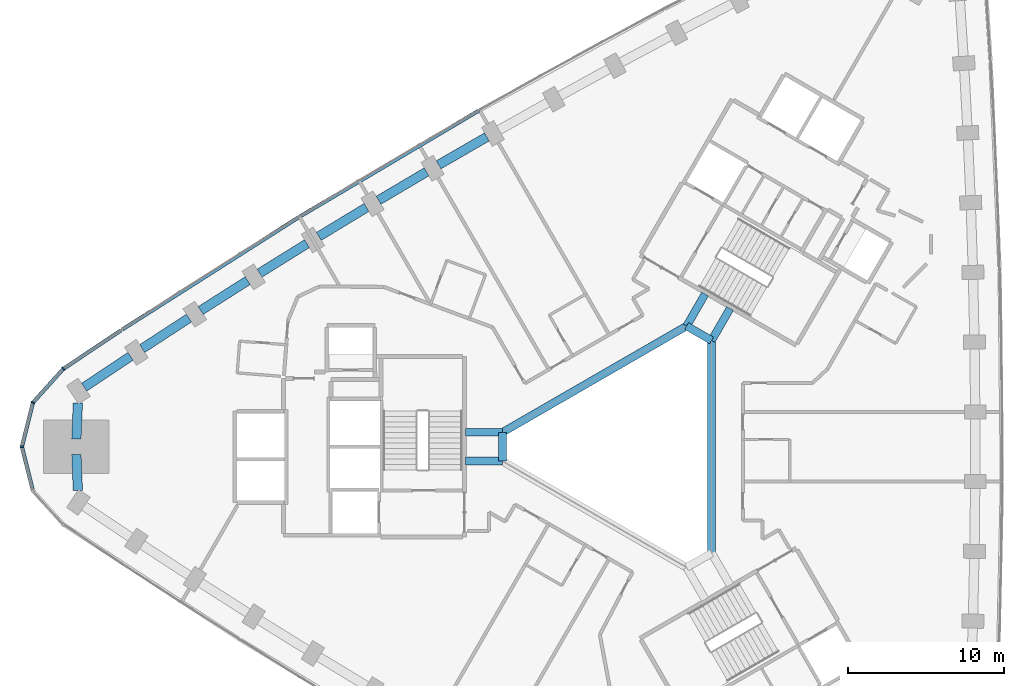
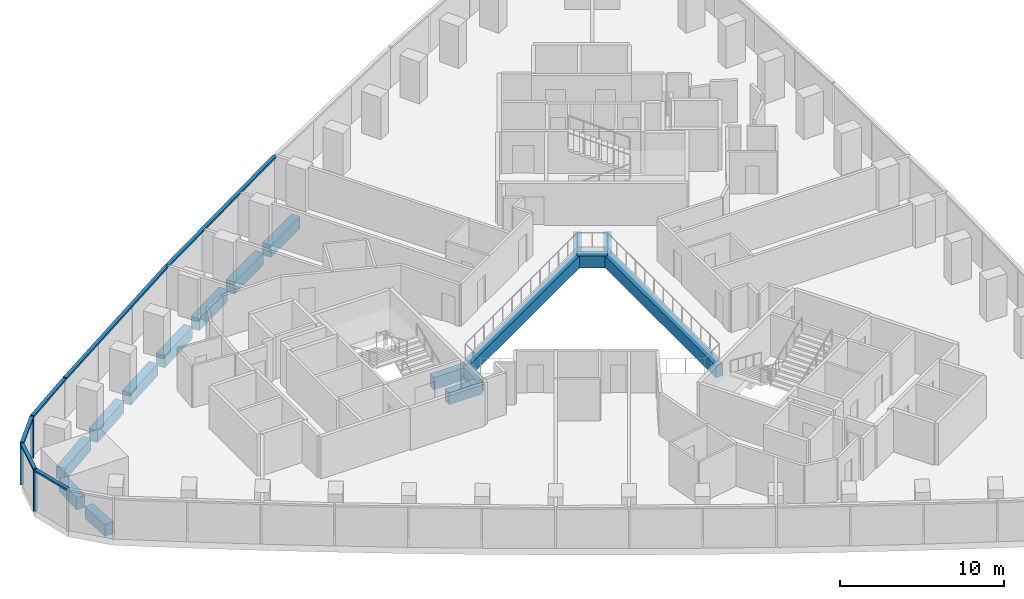
# One storey, part 4 of 13: 17 beams, 9 members, 1 element without a shape of its own.
"""IFC4 building model written with IfcOpenShell, lengths in metres."""

from ifc_helpers import new_model, si_unit, direction, frame, origin, origin_2d, place, context, subcontext, project, spatial, rectangle, extrude, material, material_profile, profile_set, type_object, element, aggregate, save


model = new_model("IFC4")

# Units and contexts
model_context = context("Model", 3, precision=1e-05, world=origin(), true_north=direction((0.0, 1.0)))
body_context = subcontext(model_context, "Body", "Model", "MODEL_VIEW")
ifc_project = project(units=[si_unit("LENGTHUNIT", "METRE"), si_unit("AREAUNIT", "SQUARE_METRE"), si_unit("VOLUMEUNIT", "CUBIC_METRE"), si_unit("PLANEANGLEUNIT", "RADIAN"), si_unit("MASSUNIT", "GRAM", prefix="KILO")], contexts=[model_context])

# Site, building, storey
site_placement = place(None, origin())
site = spatial("IfcSite", under=ifc_project, at=site_placement, CompositionType="ELEMENT")
building_placement = place(site_placement, origin())
building = spatial("IfcBuilding", under=site, at=building_placement, Name="Tamra Quay Hotel Tower", CompositionType="ELEMENT")
storey_placement = place(building_placement, frame((0.0, 0.0, 38.60009765625)))
storey = spatial("IfcBuildingStorey", under=building, at=storey_placement, Name="L07", CompositionType="ELEMENT", Elevation=38.60009765625)

# Beams
ifc_material_1 = material(Name="Concrete M60", Category="concrete")
ifc_material_profile_1 = material_profile(ifc_material_1, rectangle(XDim=0.5, YDim=0.89990234375, at=origin_2d()), Name="ATRIUM EDGE BEAM RC 500x900")
ifc_profile_set_1 = profile_set([ifc_material_profile_1], Name="Concrete M60")
beam_type_1 = type_object("IfcBeamType", Name="ATRIUM EDGE BEAM RC 500x900", PredefinedType="BEAM", material=ifc_profile_set_1)
beam_1_placement = place(storey_placement, frame((5.0, 6.812744140625, -0.925048828125), z_axis=(0.0, -1.0, 0.0), x_axis=(1.0, 0.0, 0.0)))
element("IfcBeam", 1, at=beam_1_placement, inside=storey, type_object=beam_type_1, Name="BM-AB0-L07", PredefinedType="BEAM", context=body_context, shape_type="SweptSolid", body=[
    extrude(rectangle(XDim=0.5, YDim=0.89990234375, at=origin_2d()), origin(), (0.0, 0.0, 1.0), 13.62548828125),
])
beam_2_placement = place(storey_placement, frame((-8.39990234375, -0.923828125, -0.925048828125), z_axis=(0.0, 1.0, 0.0), x_axis=(-1.0, 0.0, 0.0)))
element("IfcBeam", 2, at=beam_2_placement, inside=storey, type_object=beam_type_1, Name="BM-AB3-L07", PredefinedType="BEAM", context=body_context, shape_type="SweptSolid", body=[
    extrude(rectangle(XDim=0.5, YDim=0.89990234375, at=origin_2d()), origin(), (0.0, 0.0, 1.0), 1.84765625),
])
beam_3_placement = place(storey_placement, frame((-8.39990234375, 0.923828125, -0.925048828125), z_axis=(0.866021471679, 0.500006810544, 0.0), x_axis=(-0.500006810544, 0.866021471679, 0.0)))
element("IfcBeam", 3, at=beam_3_placement, inside=storey, type_object=beam_type_1, Name="BM-AB4-L07", PredefinedType="BEAM", context=body_context, shape_type="SweptSolid", body=[
    extrude(rectangle(XDim=0.5, YDim=0.89990234375, at=origin_2d()), origin(), (0.0, 0.0, 1.0), 13.625244140625),
])
beam_4_placement = place(storey_placement, frame((3.39990234375, 7.736572265625, -0.925048828125), z_axis=(0.86602275259, -0.500004591975, 0.0), x_axis=(0.500004591975, 0.86602275259, 0.0)))
element("IfcBeam", 4, at=beam_4_placement, inside=storey, type_object=beam_type_1, Name="BM-AB5-L07", PredefinedType="BEAM", context=body_context, shape_type="SweptSolid", body=[
    extrude(rectangle(XDim=0.5, YDim=0.89990234375, at=origin_2d()), origin(), (0.0, 0.0, 1.0), 1.84765625),
])
ifc_material_profile_2 = material_profile(ifc_material_1, rectangle(XDim=0.5, YDim=0.89990234375, at=origin_2d()), Name="ATRIUM TIE BEAM RC 500x900")
ifc_profile_set_2 = profile_set([ifc_material_profile_2], Name="Concrete M60")
beam_type_2 = type_object("IfcBeamType", Name="ATRIUM TIE BEAM RC 500x900", PredefinedType="BEAM", material=ifc_profile_set_2)
beam_5_placement = place(storey_placement, frame((5.0, 6.812744140625, -0.925048828125), z_axis=(0.500029618126, 0.866008303076, 0.0), x_axis=(-0.866008303076, 0.500029618126, 0.0)))
element("IfcBeam", 5, at=beam_5_placement, inside=storey, type_object=beam_type_2, Name="BM-TIE-0-L07", PredefinedType="BEAM", context=body_context, shape_type="SweptSolid", body=[
    extrude(rectangle(XDim=0.5, YDim=0.89990234375, at=origin_2d()), origin(), (0.0, 0.0, 1.0), 2.362060546875),
])
for number, where, z_axis, x_axis, name in (
    (6, (-8.39990234375, -0.923828125, -0.925048828125), (-1.0, 0.0, 0.0), (0.0, -1.0, 0.0), "BM-TIE-3-L07"),
    (7, (-8.39990234375, 0.923828125, -0.925048828125), (-1.0, 0.0, 0.0), (0.0, -1.0, 0.0), "BM-TIE-4-L07"),
):
    element("IfcBeam", number, at=place(storey_placement, frame(where, z_axis=z_axis, x_axis=x_axis)), inside=storey, type_object=beam_type_2, Name=name, PredefinedType="BEAM", context=body_context, shape_type="SweptSolid", body=[
        extrude(rectangle(XDim=0.5, YDim=0.89990234375, at=origin_2d()), origin(), (0.0, 0.0, 1.0), 2.3623046875),
    ])
beam_6_placement = place(storey_placement, frame((3.39990234375, 7.736572265625, -0.925048828125), z_axis=(0.500029618126, 0.866008303076, 0.0), x_axis=(-0.866008303076, 0.500029618126, 0.0)))
element("IfcBeam", 8, at=beam_6_placement, inside=storey, type_object=beam_type_2, Name="BM-TIE-5-L07", PredefinedType="BEAM", context=body_context, shape_type="SweptSolid", body=[
    extrude(rectangle(XDim=0.5, YDim=0.89990234375, at=origin_2d()), origin(), (0.0, 0.0, 1.0), 2.362060546875),
])

# Curtain wall, members
ifc_material_2 = material(Name="Aluminium 6063 anodised dark grey", Category="aluminium")
curtain_wall_type = type_object("IfcCurtainWallType", Name="CW2 CURTAIN WALL", PredefinedType="NOTDEFINED", material=ifc_material_2)
curtain_wall_placement = place(storey_placement, origin())
curtain_wall = element("IfcCurtainWall", 9, at=curtain_wall_placement, inside=storey, type_object=curtain_wall_type, Name="CW2 north-west face L07", PredefinedType="NOTDEFINED")
ifc_material_profile_3 = material_profile(ifc_material_2, rectangle(XDim=0.239990234375, YDim=0.10009765625, at=origin_2d()), Name="MULLION 100X240")
ifc_profile_set_3 = profile_set([ifc_material_profile_3], Name="Aluminium 6063 anodised dark grey")
member_type_1 = type_object("IfcMemberType", Name="MULLION CW2 Z1", PredefinedType="MULLION", material=ifc_profile_set_3)
member_1_placement = place(storey_placement, frame((-36.547607421875, 4.993896484375, 0.0), z_axis=(0.0, 0.0, 1.0), x_axis=(-0.654196774513, 0.756324388221, 0.0)))
member_1 = element("IfcMember", 10, at=member_1_placement, type_object=member_type_1, Name="CW2 mullion L07.NW.14", PredefinedType="MULLION", context=body_context, shape_type="SweptSolid", body=[
    extrude(rectangle(XDim=0.239990234375, YDim=0.10009765625, at=origin_2d()), origin(), (0.0, 0.0, 1.0), 3.125),
])
member_2_placement = place(storey_placement, frame((-38.497802734375, 2.828125, 0.0), z_axis=(0.0, 0.0, 1.0), x_axis=(-0.882955345235, 0.469456982396, 0.0)))
member_2 = element("IfcMember", 11, at=member_2_placement, type_object=member_type_1, Name="CW2 mullion L07.NW.15", PredefinedType="MULLION", context=body_context, shape_type="SweptSolid", body=[
    extrude(rectangle(XDim=0.239990234375, YDim=0.10009765625, at=origin_2d()), origin(), (0.0, 0.0, 1.0), 3.125),
])
member_3_placement = place(storey_placement, frame((-39.202880859375, 0.0, 0.0), z_axis=(0.0, 0.0, 1.0), x_axis=(-1.0, 0.0, 0.0)))
member_3 = element("IfcMember", 12, at=member_3_placement, type_object=member_type_1, Name="CW2 mullion L07.NW.16", PredefinedType="MULLION", context=body_context, shape_type="SweptSolid", body=[
    extrude(rectangle(XDim=0.239990234375, YDim=0.10009765625, at=origin_2d()), origin(), (0.0, 0.0, 1.0), 3.125),
])

# Beams
ifc_material_profile_4 = material_profile(ifc_material_1, rectangle(XDim=0.60009765625, YDim=0.89990234375, at=origin_2d()), Name="SPANDREL BEAM RC 600x900")
ifc_profile_set_4 = profile_set([ifc_material_profile_4], Name="Concrete M60")
beam_type_3 = type_object("IfcBeamType", Name="SPANDREL BEAM RC 600x900", PredefinedType="SPANDREL", material=ifc_profile_set_4)
beam_7_placement = place(storey_placement, frame((-9.401123046875, 19.853759765625, -0.925048828125), z_axis=(-0.866017069707, -0.500014434768, 0.0), x_axis=(0.500014434768, -0.866017069707, 0.0)))
element("IfcBeam", 13, at=beam_7_placement, inside=storey, type_object=beam_type_3, Name="BM-SP1-021-L07", PredefinedType="SPANDREL", context=body_context, shape_type="SweptSolid", body=[
    extrude(rectangle(XDim=0.60009765625, YDim=0.89990234375, at=origin_2d()), origin(), (0.0, 0.0, 1.0), 3.57080078125),
])
beam_8_placement = place(storey_placement, frame((-13.270263671875, 17.6142578125, -0.925048828125), z_axis=(-0.860524689034, -0.509408735264, 0.0), x_axis=(0.509408735264, -0.860524689034, 0.0)))
element("IfcBeam", 14, at=beam_8_placement, inside=storey, type_object=beam_type_3, Name="BM-SP1-022-L07", PredefinedType="SPANDREL", context=body_context, shape_type="SweptSolid", body=[
    extrude(rectangle(XDim=0.60009765625, YDim=0.89990234375, at=origin_2d()), origin(), (0.0, 0.0, 1.0), 3.570556640625),
])
beam_9_placement = place(storey_placement, frame((-17.114990234375, 15.3330078125, -0.925048828125), z_axis=(-0.854966252085, -0.518683629775, 0.0), x_axis=(0.518683629775, -0.854966252085, 0.0)))
element("IfcBeam", 15, at=beam_9_placement, inside=storey, type_object=beam_type_3, Name="BM-SP1-023-L07", PredefinedType="SPANDREL", context=body_context, shape_type="SweptSolid", body=[
    extrude(rectangle(XDim=0.60009765625, YDim=0.89990234375, at=origin_2d()), origin(), (0.0, 0.0, 1.0), 3.56982421875),
])
beam_10_placement = place(storey_placement, frame((-20.93408203125, 13.010498046875, -0.925048828125), z_axis=(-0.849320953317, -0.527876802158, 0.0), x_axis=(0.527876802158, -0.849320953317, 0.0)))
element("IfcBeam", 16, at=beam_10_placement, inside=storey, type_object=beam_type_3, Name="BM-SP1-024-L07", PredefinedType="SPANDREL", context=body_context, shape_type="SweptSolid", body=[
    extrude(rectangle(XDim=0.60009765625, YDim=0.89990234375, at=origin_2d()), origin(), (0.0, 0.0, 1.0), 3.570556640625),
])
beam_11_placement = place(storey_placement, frame((-24.728515625, 10.646484375, -0.925048828125), z_axis=(-0.843593906333, -0.53698167678, 0.0), x_axis=(0.53698167678, -0.843593906333, 0.0)))
element("IfcBeam", 17, at=beam_11_placement, inside=storey, type_object=beam_type_3, Name="BM-SP1-025-L07", PredefinedType="SPANDREL", context=body_context, shape_type="SweptSolid", body=[
    extrude(rectangle(XDim=0.60009765625, YDim=0.89990234375, at=origin_2d()), origin(), (0.0, 0.0, 1.0), 3.5703125),
])
beam_12_placement = place(storey_placement, frame((-28.4970703125, 8.24169921875, -0.925048828125), z_axis=(-0.837739819239, -0.546069588296, 0.0), x_axis=(0.546069588296, -0.837739819239, 0.0)))
element("IfcBeam", 18, at=beam_12_placement, inside=storey, type_object=beam_type_3, Name="BM-SP1-026-L07", PredefinedType="SPANDREL", context=body_context, shape_type="SweptSolid", body=[
    extrude(rectangle(XDim=0.60009765625, YDim=0.89990234375, at=origin_2d()), origin(), (0.0, 0.0, 1.0), 3.570068359375),
])
beam_13_placement = place(storey_placement, frame((-32.239013671875, 5.796630859375, -0.925048828125), z_axis=(-0.831818807601, -0.555047269448, 0.0), x_axis=(0.555047269448, -0.831818807601, 0.0)))
element("IfcBeam", 19, at=beam_13_placement, inside=storey, type_object=beam_type_3, Name="BM-SP1-027-L07", PredefinedType="SPANDREL", context=body_context, shape_type="SweptSolid", body=[
    extrude(rectangle(XDim=0.60009765625, YDim=0.89990234375, at=origin_2d()), origin(), (0.0, 0.0, 1.0), 3.57080078125),
])
for number, where, z_axis, x_axis, name in (
    (20, (-35.614501953125, 2.805908203125, -0.925048828125), (-0.040711272802, -0.999170952474, 0.0), (0.999170952474, -0.040711272802, 0.0), "BM-SP1-028-L07"),
    (21, (-35.70849609375, -0.4990234375, -0.925048828125), (0.040711272802, -0.999170952474, 0.0), (0.999170952474, 0.040711272802, 0.0), "BM-SP1-029-L07"),
):
    element("IfcBeam", number, at=place(storey_placement, frame(where, z_axis=z_axis, x_axis=x_axis)), inside=storey, type_object=beam_type_3, Name=name, PredefinedType="SPANDREL", context=body_context, shape_type="SweptSolid", body=[
        extrude(rectangle(XDim=0.60009765625, YDim=0.89990234375, at=origin_2d()), origin(), (0.0, 0.0, 1.0), 2.308837890625),
    ])

# Member
ifc_material_profile_5 = material_profile(ifc_material_2, rectangle(XDim=0.239990234375, YDim=0.139892578125, at=origin_2d()), Name="TRANSOM 240X140")
ifc_profile_set_5 = profile_set([ifc_material_profile_5], Name="Aluminium 6063 anodised dark grey")
member_type_2 = type_object("IfcMemberType", Name="TRANSOM CW2 Z1", PredefinedType="USERDEFINED", material=ifc_profile_set_5)
member_4_placement = place(storey_placement, frame((-9.90869140625, 21.55126953125, 3.054931640625), z_axis=(-0.860560507804, -0.509348223133, 0.0), x_axis=(0.509348223133, -0.860560507804, 0.0)))
member_4 = element("IfcMember", 22, at=member_4_placement, type_object=member_type_2, Name="CW2 transom L07.NW.7", ObjectType="TRANSOM", PredefinedType="USERDEFINED", context=body_context, shape_type="SweptSolid", body=[
    extrude(rectangle(XDim=0.239990234375, YDim=0.139892578125, at=origin_2d()), origin(), (0.0, 0.0, 1.0), 13.36669921875),
])

member_5_placement = place(storey_placement, frame((-21.496826171875, 14.690673828125, 3.054931640625), z_axis=(-0.843574233819, -0.537012580892, 0.0), x_axis=(0.537012580892, -0.843574233819, 0.0)))
member_5 = element("IfcMember", 23, at=member_5_placement, type_object=member_type_2, Name="CW2 transom L07.NW.10", ObjectType="TRANSOM", PredefinedType="USERDEFINED", context=body_context, shape_type="SweptSolid", body=[
    extrude(rectangle(XDim=0.239990234375, YDim=0.139892578125, at=origin_2d()), origin(), (0.0, 0.0, 1.0), 13.366455078125),
])

member_6_placement = place(storey_placement, frame((-32.85595703125, 7.45751953125, 3.054931640625), z_axis=(-0.831801992413, -0.555072468618, 0.0), x_axis=(0.555072468618, -0.831801992413, 0.0)))
member_6 = element("IfcMember", 24, at=member_6_placement, type_object=member_type_2, Name="CW2 transom L07.NW.13", ObjectType="TRANSOM", PredefinedType="USERDEFINED", context=body_context, shape_type="SweptSolid", body=[
    extrude(rectangle(XDim=0.239990234375, YDim=0.139892578125, at=origin_2d()), origin(), (0.0, 0.0, 1.0), 4.38818359375),
])

member_7_placement = place(storey_placement, frame((-36.5810546875, 4.956787109375, 3.054931640625), z_axis=(-0.669142034262, -0.743134535588, 0.0), x_axis=(0.743134535588, -0.669142034262, 0.0)))
member_7 = element("IfcMember", 25, at=member_7_placement, type_object=member_type_2, Name="CW2 transom L07.NW.14", ObjectType="TRANSOM", PredefinedType="USERDEFINED", context=body_context, shape_type="SweptSolid", body=[
    extrude(rectangle(XDim=0.239990234375, YDim=0.139892578125, at=origin_2d()), origin(), (0.0, 0.0, 1.0), 2.814453125),
])

member_8_placement = place(storey_placement, frame((-38.510009765625, 2.779541015625, 3.054931640625), z_axis=(-0.241841612879, -0.970315739479, 0.0), x_axis=(0.970315739479, -0.241841612879, 0.0)))
member_8 = element("IfcMember", 26, at=member_8_placement, type_object=member_type_2, Name="CW2 transom L07.NW.15", ObjectType="TRANSOM", PredefinedType="USERDEFINED", context=body_context, shape_type="SweptSolid", body=[
    extrude(rectangle(XDim=0.239990234375, YDim=0.139892578125, at=origin_2d()), origin(), (0.0, 0.0, 1.0), 2.814453125),
])

member_9_placement = place(storey_placement, frame((-39.190673828125, -0.048583984375, 3.054931640625), z_axis=(0.241841612879, -0.970315739479, 0.0), x_axis=(0.970315739479, 0.241841612879, 0.0)))
member_9 = element("IfcMember", 27, at=member_9_placement, type_object=member_type_2, Name="CW2 transom L07.NW.16", ObjectType="TRANSOM", PredefinedType="USERDEFINED", context=body_context, shape_type="SweptSolid", body=[
    extrude(rectangle(XDim=0.239990234375, YDim=0.139892578125, at=origin_2d()), origin(), (0.0, 0.0, 1.0), 2.814453125),
])

aggregate(curtain_wall, [member_4, member_5, member_6, member_1, member_7, member_2, member_8, member_3, member_9])

save(model, "model.ifc")
